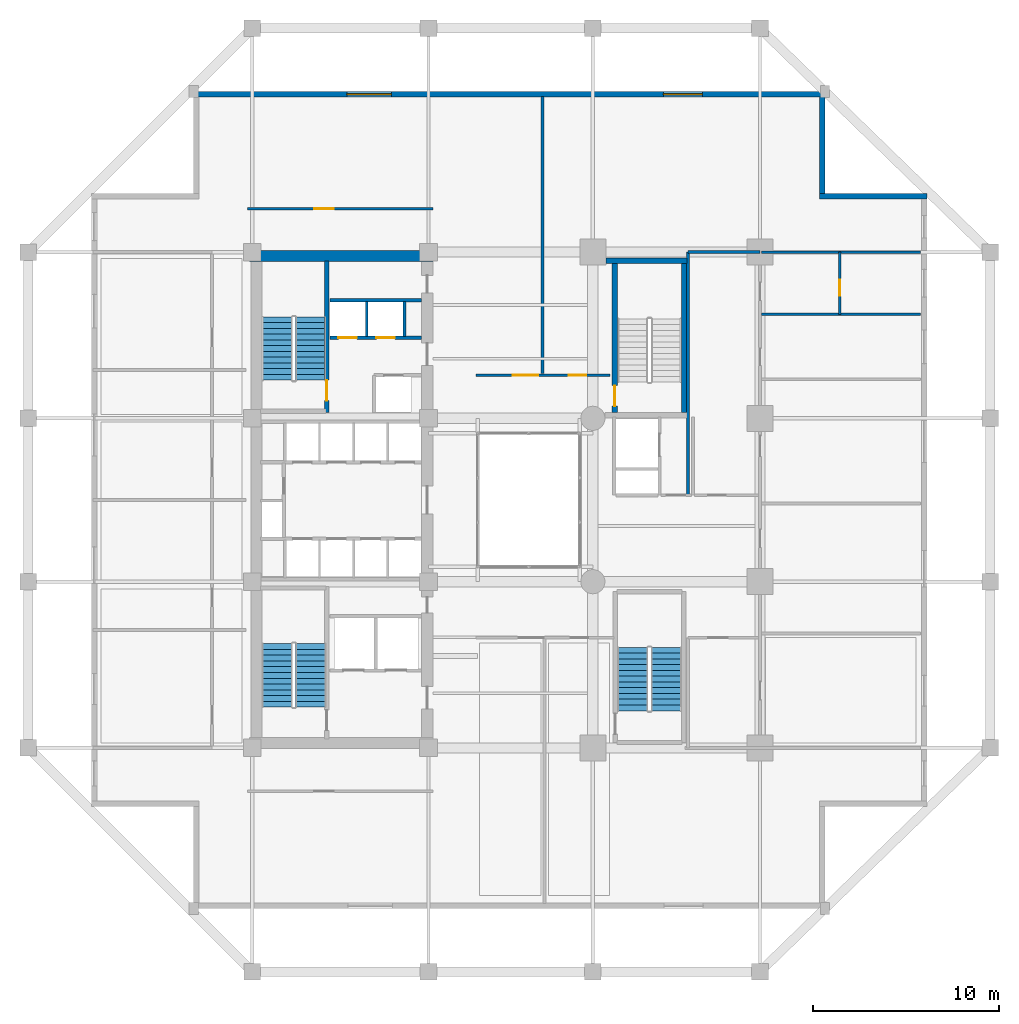
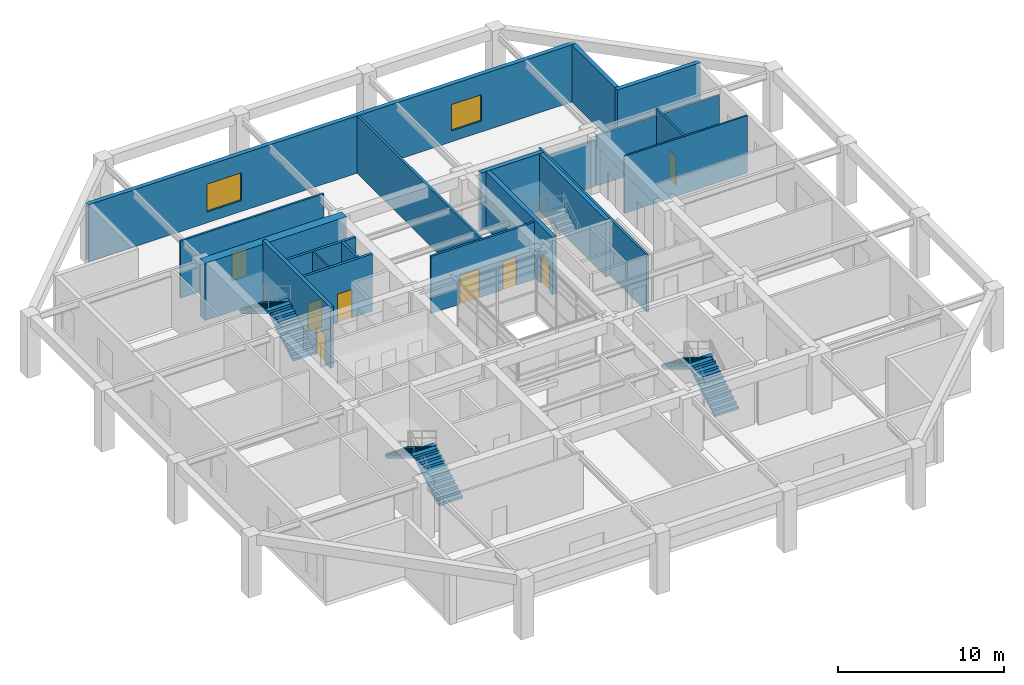
# One storey, part 9 of 13: 20 walls, 8 doors, 6 stair flights, 2 windows, 10 openings, 3 elements without a shape of their own.
"""IFC4 building model written with IfcOpenShell, lengths in metres."""

from ifc_helpers import new_model, si_unit, direction, frame, frame_2d, origin, place, context, subcontext, project, spatial, polyline, rectangle, outline, extrude, material, layer, layer_set, type_object, element, fill, aggregate, save


model = new_model("IFC4")

# Units and contexts
model_context = context("Model", 3, precision=1e-05, world=origin(), true_north=direction((0.0, 1.0)))
body_context = subcontext(model_context, "Body", "Model", "MODEL_VIEW")
ifc_project = project(units=[si_unit("LENGTHUNIT", "METRE"), si_unit("AREAUNIT", "SQUARE_METRE"), si_unit("VOLUMEUNIT", "CUBIC_METRE"), si_unit("PLANEANGLEUNIT", "RADIAN"), si_unit("MASSUNIT", "GRAM", prefix="KILO")], contexts=[model_context])

# Site, building, storey
site_placement = place(None, origin())
site = spatial("IfcSite", under=ifc_project, at=site_placement, CompositionType="ELEMENT")
building_placement = place(site_placement, origin())
building = spatial("IfcBuilding", under=site, at=building_placement, Name="Kundavana Baori Tower", CompositionType="ELEMENT")
storey_placement = place(building_placement, frame((0.0, 0.0, 17.0)))
storey = spatial("IfcBuildingStorey", under=building, at=storey_placement, Name="L03", CompositionType="ELEMENT", Elevation=17.0)

# Wall, opening, door
ifc_material_1 = material(Name="Concrete C50/60", Category="concrete")
ifc_layer_1 = layer(ifc_material_1, 0.39990234375, Name="WL-CORE-400")
ifc_layer_set_1 = layer_set([ifc_layer_1], Name="Concrete C50/60")
wall_type_1 = type_object("IfcWallType", Name="WL-CORE-400", PredefinedType="SHEAR", material=ifc_layer_set_1)
wall_1_placement = place(storey_placement, frame((19.4599609375, 33.300048828125, 0.0), z_axis=(0.0, 0.0, 1.0), x_axis=(0.0, 1.0, 0.0)))
wall_1 = element("IfcWall", 1, at=wall_1_placement, inside=storey, type_object=wall_type_1, Name="WL-L03-ST2-E", PredefinedType="SHEAR", context=body_context, shape_type="SweptSolid", body=[
    extrude(rectangle(XDim=8.179931640625, YDim=0.239990234375, at=frame_2d((4.08984375, 0.0))), origin(), (0.0, 0.0, 1.0), 4.5),
])
opening_1_placement = place(wall_1_placement, frame((0.64990234375, 0.0, 0.0)))
opening_1 = element("IfcOpeningElement", 2, at=opening_1_placement, cuts=wall_1, Name="Opening FD-110", PredefinedType="OPENING", context=body_context, shape_type="SweptSolid", body=[
    extrude(rectangle(XDim=1.10009765625, YDim=2.10009765625, at=frame_2d((0.550048828125, 1.050048828125))), frame((0.0, 0.1298828125, 0.0), z_axis=(0.0, -1.0, 0.0), x_axis=(1.0, 0.0, 0.0)), (0.0, 0.0, 1.0), 0.260009765625),
])
ifc_material_2 = material(Name="Galvanised Steel Fire-Rated Door Leaf", Category="steel")
door_type_1 = type_object("IfcDoorType", Name="DR-FD120-1100", OperationType="NOTDEFINED", PredefinedType="DOOR", material=ifc_material_2)
door_1_placement = place(opening_1_placement, origin())
door_1 = element("IfcDoor", 3, at=door_1_placement, inside=storey, type_object=door_type_1, Name="DR-L03-ST2", OperationType="SINGLE_SWING_RIGHT", OverallHeight=2.10009765625, OverallWidth=1.10009765625, PredefinedType="DOOR", context=body_context, shape_type="SweptSolid", body=[
    extrude(rectangle(XDim=1.10009765625, YDim=2.10009765625, at=frame_2d((0.550048828125, 1.050048828125))), frame((0.0, 0.02490234375, 0.0), z_axis=(0.0, -1.0, 0.0), x_axis=(1.0, 0.0, 0.0)), (0.0, 0.0, 1.0), 0.050048828125),
])
fill(opening_1, door_1)

# Walls
ifc_material_3 = material(Name="Concrete C60/75", Category="concrete")
ifc_layer_2 = layer(ifc_material_3, 0.60009765625, Name="WL-CORE-600")
ifc_layer_set_2 = layer_set([ifc_layer_2], Name="Concrete C60/75")
wall_type_2 = type_object("IfcWallType", Name="WL-CORE-600", PredefinedType="SHEAR", material=ifc_layer_set_2)
wall_2_placement = place(storey_placement, frame((15.300048828125, 41.739990234375, 0.0), z_axis=(0.0, 0.0, 1.0), x_axis=(1.0, 0.0, 0.0)))
element("IfcWall", 4, at=wall_2_placement, inside=storey, type_object=wall_type_2, Name="L03 Offset Core North Shear Wall", PredefinedType="SHEAR", context=body_context, shape_type="SweptSolid", body=[
    extrude(rectangle(XDim=9.8798828125, YDim=0.60009765625, at=frame_2d((4.93994140625, 0.0))), origin(), (0.0, 0.0, 1.0), 4.219970703125),
])
ifc_material_4 = material(Name="Red-Buff Dholpur Sandstone Cladding on Concrete C40/50", Category="masonry")
ifc_layer_3 = layer(ifc_material_4, 0.300048828125, Name="WL-EXT-SAND-300")
ifc_layer_set_3 = layer_set([ifc_layer_3], Name="Red-Buff Dholpur Sandstone Cladding on Concrete C40/50")
wall_type_3 = type_object("IfcWallType", Name="WL-EXT-SAND-300", PredefinedType="STANDARD", material=ifc_layer_set_3)
wall_3_placement = place(storey_placement, frame((51.800048828125, 44.949951171875, 0.0), z_axis=(0.0, 0.0, 1.0), x_axis=(-1.0, 0.0, 0.0)))
element("IfcWall", 5, at=wall_3_placement, inside=storey, type_object=wall_type_3, Name="L03 Exterior Insulated Facade Wall 05", PredefinedType="STANDARD", context=body_context, shape_type="SweptSolid", body=[
    extrude(rectangle(XDim=5.800048828125, YDim=0.300048828125, at=frame_2d((2.89990234375, 0.0))), origin(), (0.0, 0.0, 1.0), 4.219970703125),
])
wall_4_placement = place(storey_placement, frame((46.14990234375, 45.10009765625, 0.0), z_axis=(0.0, 0.0, 1.0), x_axis=(0.0, 1.0, 0.0)))
element("IfcWall", 6, at=wall_4_placement, inside=storey, type_object=wall_type_3, Name="L03 Exterior Insulated Facade Wall 06", PredefinedType="STANDARD", context=body_context, shape_type="SweptSolid", body=[
    extrude(rectangle(XDim=5.199951171875, YDim=0.300048828125, at=frame_2d((2.60009765625, 0.0))), origin(), (0.0, 0.0, 1.0), 4.219970703125),
])

# Wall, openings, windows
wall_5_placement = place(storey_placement, frame((46.300048828125, 50.449951171875, 0.0), z_axis=(0.0, 0.0, 1.0), x_axis=(-1.0, 0.0, 0.0)))
wall_5 = element("IfcWall", 7, at=wall_5_placement, inside=storey, type_object=wall_type_3, Name="L03 Exterior Insulated Facade Wall 07", PredefinedType="STANDARD", context=body_context, shape_type="SweptSolid", body=[
    extrude(rectangle(XDim=34.0, YDim=0.300048828125, at=frame_2d((17.0, 0.0))), origin(), (0.0, 0.0, 1.0), 4.219970703125),
])
opening_2_placement = place(wall_5_placement, frame((23.344970703125, 0.0, 0.800048828125)))
opening_2 = element("IfcOpeningElement", 8, at=opening_2_placement, cuts=wall_5, Name="Opening W-04", PredefinedType="OPENING", context=body_context, shape_type="SweptSolid", body=[
    extrude(rectangle(XDim=2.39990234375, YDim=2.050048828125, at=frame_2d((1.199951171875, 1.02490234375))), frame((0.0, 0.16015625, 0.0), z_axis=(0.0, -1.0, 0.0), x_axis=(1.0, 0.0, 0.0)), (0.0, 0.0, 1.0), 0.320068359375),
])
opening_3_placement = place(wall_5_placement, frame((6.60498046875, 0.0, 0.800048828125)))
opening_3 = element("IfcOpeningElement", 9, at=opening_3_placement, cuts=wall_5, Name="Opening W-05", PredefinedType="OPENING", context=body_context, shape_type="SweptSolid", body=[
    extrude(rectangle(XDim=2.10009765625, YDim=1.949951171875, at=frame_2d((1.050048828125, 0.97509765625))), frame((0.0, 0.16015625, 0.0), z_axis=(0.0, -1.0, 0.0), x_axis=(1.0, 0.0, 0.0)), (0.0, 0.0, 1.0), 0.320068359375),
])
ifc_material_5 = material(Name="Double-Glazed Solar-Control Low-E Insulated Glass", Category="glass")
window_type_1 = type_object("IfcWindowType", Name="WIN-LOG-2100x1950", PartitioningType="SINGLE_PANEL", PredefinedType="WINDOW", material=ifc_material_5)
window_1_placement = place(opening_3_placement, origin())
window_1 = element("IfcWindow", 10, at=window_1_placement, inside=storey, type_object=window_type_1, Name="L03 Recessed Loggia Window N-2", OverallHeight=1.949951171875, OverallWidth=2.10009765625, PartitioningType="SINGLE_PANEL", PredefinedType="WINDOW", context=body_context, shape_type="SweptSolid", body=[
    extrude(rectangle(XDim=2.10009765625, YDim=1.949951171875, at=frame_2d((1.050048828125, 0.97509765625))), frame((0.0, 0.030029296875, 0.0), z_axis=(0.0, -1.0, 0.0), x_axis=(1.0, 0.0, 0.0)), (0.0, 0.0, 1.0), 0.06005859375),
])
fill(opening_3, window_1)
ifc_material_6 = material(Name="Double-Glazed Solar-Control Low-E Insulated Glass", Category="glass")
window_type_2 = type_object("IfcWindowType", Name="WIN-LOG-2400x2050", PartitioningType="SINGLE_PANEL", PredefinedType="WINDOW", material=ifc_material_6)
window_2_placement = place(opening_2_placement, origin())
window_2 = element("IfcWindow", 11, at=window_2_placement, inside=storey, type_object=window_type_2, Name="L03 Recessed Loggia Window N-1", OverallHeight=2.050048828125, OverallWidth=2.39990234375, PartitioningType="SINGLE_PANEL", PredefinedType="WINDOW", context=body_context, shape_type="SweptSolid", body=[
    extrude(rectangle(XDim=2.39990234375, YDim=2.050048828125, at=frame_2d((1.199951171875, 1.02490234375))), frame((0.0, 0.030029296875, 0.0), z_axis=(0.0, -1.0, 0.0), x_axis=(1.0, 0.0, 0.0)), (0.0, 0.0, 1.0), 0.06005859375),
])
fill(opening_2, window_2)

# Wall
ifc_material_7 = material(Name="Acoustic Gypsum Plasterboard on Galvanised Steel Studs", Category="steel")
ifc_layer_4 = layer(ifc_material_7, 0.1201171875, Name="WL-PART-120")
ifc_layer_set_4 = layer_set([ifc_layer_4], Name="Acoustic Gypsum Plasterboard on Galvanised Steel Studs")
wall_type_4 = type_object("IfcWallType", Name="WL-PART-120", PredefinedType="PARTITIONING", material=ifc_layer_set_4)
wall_6_placement = place(storey_placement, frame((21.6201171875, 37.39990234375, 0.0), z_axis=(0.0, 0.0, 1.0), x_axis=(0.0, 1.0, 0.0)))
element("IfcWall", 12, at=wall_6_placement, inside=storey, type_object=wall_type_4, Name="WL-L03-HR-DIV1", PredefinedType="PARTITIONING", context=body_context, shape_type="SweptSolid", body=[
    extrude(rectangle(XDim=1.900146484375, YDim=0.1201171875, at=frame_2d((0.9501953125, 0.0))), origin(), (0.0, 0.0, 1.0), 4.219970703125),
])

# Wall, opening, door
ifc_material_8 = material(Name="Acoustic Gypsum Plasterboard on Galvanised Steel Studs", Category="steel")
ifc_layer_5 = layer(ifc_material_8, 0.135009765625, Name="WL-PART-135")
ifc_layer_set_5 = layer_set([ifc_layer_5], Name="Acoustic Gypsum Plasterboard on Galvanised Steel Studs")
wall_type_5 = type_object("IfcWallType", Name="WL-PART-135", PredefinedType="PARTITIONING", material=ifc_layer_set_5)
wall_7_placement = place(storey_placement, frame((15.199951171875, 44.280029296875, 0.0), z_axis=(0.0, 0.0, 1.0), x_axis=(1.0, 0.0, 0.0)))
wall_7 = element("IfcWall", 13, at=wall_7_placement, inside=storey, type_object=wall_type_5, Name="WL-L03-NC", PredefinedType="PARTITIONING", context=body_context, shape_type="SweptSolid", body=[
    extrude(rectangle(XDim=10.0, YDim=0.135009765625, at=frame_2d((5.0, 0.0))), origin(), (0.0, 0.0, 1.0), 4.219970703125),
])
opening_4_placement = place(wall_7_placement, frame((3.60009765625, 0.0, 0.0)))
opening_4 = element("IfcOpeningElement", 14, at=opening_4_placement, cuts=wall_7, Name="Opening ID-105", PredefinedType="OPENING", context=body_context, shape_type="SweptSolid", body=[
    extrude(rectangle(XDim=1.050048828125, YDim=2.10009765625, at=frame_2d((0.52490234375, 1.050048828125))), frame((0.0, 0.07763671875, 0.0), z_axis=(0.0, -1.0, 0.0), x_axis=(1.0, 0.0, 0.0)), (0.0, 0.0, 1.0), 0.155029296875),
])
ifc_material_9 = material(Name="Engineered Teak Solid-Core Timber Veneer", Category="wood")
door_type_2 = type_object("IfcDoorType", Name="DR-INT-1050", OperationType="NOTDEFINED", PredefinedType="DOOR", material=ifc_material_9)
door_2_placement = place(opening_4_placement, origin())
door_2 = element("IfcDoor", 15, at=door_2_placement, inside=storey, type_object=door_type_2, Name="DR-L03-RNW", OperationType="SINGLE_SWING_RIGHT", OverallHeight=2.10009765625, OverallWidth=1.050048828125, PredefinedType="DOOR", context=body_context, shape_type="SweptSolid", body=[
    extrude(rectangle(XDim=1.050048828125, YDim=2.10009765625, at=frame_2d((0.52490234375, 1.050048828125))), frame((0.0, 0.02490234375, 0.0), z_axis=(0.0, -1.0, 0.0), x_axis=(1.0, 0.0, 0.0)), (0.0, 0.0, 1.0), 0.050048828125),
])
fill(opening_4, door_2)

# Wall, openings, doors
ifc_material_10 = material(Name="Fire-Rated Gypsum Drywall on Galvanised Steel Studs", Category="steel")
ifc_layer_6 = layer(ifc_material_10, 0.14990234375, Name="WL-PART-150")
ifc_layer_set_6 = layer_set([ifc_layer_6], Name="Fire-Rated Gypsum Drywall on Galvanised Steel Studs")
wall_type_6 = type_object("IfcWallType", Name="WL-PART-150", PredefinedType="PARTITIONING", material=ifc_layer_set_6)
wall_8_placement = place(storey_placement, frame((27.5, 35.320068359375, 0.0), z_axis=(0.0, 0.0, 1.0), x_axis=(1.0, 0.0, 0.0)))
wall_8 = element("IfcWall", 16, at=wall_8_placement, inside=storey, type_object=wall_type_6, Name="WL-L03-PODN", PredefinedType="PARTITIONING", context=body_context, shape_type="SweptSolid", body=[
    extrude(rectangle(XDim=7.219970703125, YDim=0.14990234375, at=frame_2d((3.60986328125, 0.0))), origin(), (0.0, 0.0, 1.0), 4.219970703125),
])
opening_5_placement = place(wall_8_placement, frame((5.0, 0.0, 0.0)))
opening_5 = element("IfcOpeningElement", 17, at=opening_5_placement, cuts=wall_8, Name="Opening ID-095", PredefinedType="OPENING", context=body_context, shape_type="SweptSolid", body=[
    extrude(rectangle(XDim=0.949951171875, YDim=2.080078125, at=frame_2d((0.47509765625, 1.0400390625))), frame((0.0, 0.0849609375, 0.0), z_axis=(0.0, -1.0, 0.0), x_axis=(1.0, 0.0, 0.0)), (0.0, 0.0, 1.0), 0.169921875),
])
opening_6_placement = place(wall_8_placement, frame((2.0, 0.0, 0.0)))
opening_6 = element("IfcOpeningElement", 18, at=opening_6_placement, cuts=wall_8, Name="Opening ID-135", PredefinedType="OPENING", context=body_context, shape_type="SweptSolid", body=[
    extrude(rectangle(XDim=1.35009765625, YDim=2.10009765625, at=frame_2d((0.675048828125, 1.050048828125))), frame((0.0, 0.0849609375, 0.0), z_axis=(0.0, -1.0, 0.0), x_axis=(1.0, 0.0, 0.0)), (0.0, 0.0, 1.0), 0.169921875),
])
ifc_material_11 = material(Name="Engineered Teak Solid-Core Timber Veneer", Category="wood")
door_type_3 = type_object("IfcDoorType", Name="DR-INT-1350", OperationType="NOTDEFINED", PredefinedType="DOOR", material=ifc_material_11)
door_3_placement = place(opening_6_placement, origin())
door_3 = element("IfcDoor", 19, at=door_3_placement, inside=storey, type_object=door_type_3, Name="DR-L03-CONFN", OperationType="SINGLE_SWING_LEFT", OverallHeight=2.10009765625, OverallWidth=1.35009765625, PredefinedType="DOOR", context=body_context, shape_type="SweptSolid", body=[
    extrude(rectangle(XDim=1.35009765625, YDim=2.10009765625, at=frame_2d((0.675048828125, 1.050048828125))), frame((0.0, 0.02490234375, 0.0), z_axis=(0.0, -1.0, 0.0), x_axis=(1.0, 0.0, 0.0)), (0.0, 0.0, 1.0), 0.050048828125),
])
fill(opening_6, door_3)
ifc_material_12 = material(Name="Engineered Teak Solid-Core Timber Veneer", Category="wood")
door_type_4 = type_object("IfcDoorType", Name="DR-INT-950", OperationType="NOTDEFINED", PredefinedType="DOOR", material=ifc_material_12)
door_4_placement = place(opening_5_placement, origin())
door_4 = element("IfcDoor", 20, at=door_4_placement, inside=storey, type_object=door_type_4, Name="DR-L03-CFN2", OperationType="SINGLE_SWING_RIGHT", OverallHeight=2.080078125, OverallWidth=0.949951171875, PredefinedType="DOOR", context=body_context, shape_type="SweptSolid", body=[
    extrude(rectangle(XDim=0.949951171875, YDim=2.080078125, at=frame_2d((0.47509765625, 1.0400390625))), frame((0.0, 0.02490234375, 0.0), z_axis=(0.0, -1.0, 0.0), x_axis=(1.0, 0.0, 0.0)), (0.0, 0.0, 1.0), 0.050048828125),
])
fill(opening_5, door_4)

# Walls
wall_9_placement = place(storey_placement, frame((38.919921875, 28.860107421875, 0.0), z_axis=(0.0, 0.0, 1.0), x_axis=(0.0, 1.0, 0.0)))
element("IfcWall", 21, at=wall_9_placement, inside=storey, type_object=wall_type_6, Name="WL-L03-PEATW", PredefinedType="PARTITIONING", context=body_context, shape_type="SweptSolid", body=[
    extrude(rectangle(XDim=13.08984375, YDim=0.14990234375, at=frame_2d((6.544921875, 0.0))), origin(), (0.0, 0.0, 1.0), 4.219970703125),
])
wall_10_placement = place(storey_placement, frame((38.919921875, 41.949951171875, 0.0), z_axis=(0.0, 0.0, 1.0), x_axis=(1.0, 0.0, 0.0)))
element("IfcWall", 22, at=wall_10_placement, inside=storey, type_object=wall_type_6, Name="WL-L03-PEATN", PredefinedType="PARTITIONING", context=body_context, shape_type="SweptSolid", body=[
    extrude(rectangle(XDim=3.880126953125, YDim=0.14990234375, at=frame_2d((1.93994140625, 0.0))), origin(), (0.0, 0.0, 1.0), 3.419921875),
])
ifc_material_13 = material(Name="Fire-Rated Gypsum Drywall on Galvanised Steel Studs", Category="steel")
ifc_layer_7 = layer(ifc_material_13, 0.1650390625, Name="WL-PART-165")
ifc_layer_set_7 = layer_set([ifc_layer_7], Name="Fire-Rated Gypsum Drywall on Galvanised Steel Studs")
wall_type_7 = type_object("IfcWallType", Name="WL-PART-165", PredefinedType="PARTITIONING", material=ifc_layer_set_7)
wall_11_placement = place(storey_placement, frame((31.10009765625, 35.39990234375, 0.0), z_axis=(0.0, 0.0, 1.0), x_axis=(0.0, 1.0, 0.0)))
element("IfcWall", 23, at=wall_11_placement, inside=storey, type_object=wall_type_7, Name="WL-L03-CN1", PredefinedType="PARTITIONING", context=body_context, shape_type="SweptSolid", body=[
    extrude(rectangle(XDim=14.920166015625, YDim=0.1650390625, at=frame_2d((7.4599609375, 0.0))), origin(), (0.0, 0.0, 1.0), 4.219970703125),
])

# Wall, openings, doors
ifc_material_14 = material(Name="Autoclaved Aerated Concrete Blockwork Masonry", Category="masonry")
ifc_layer_8 = layer(ifc_material_14, 0.179931640625, Name="WL-SHAFT-180")
ifc_layer_set_8 = layer_set([ifc_layer_8], Name="Autoclaved Aerated Concrete Blockwork Masonry")
wall_type_8 = type_object("IfcWallType", Name="WL-SHAFT-180", PredefinedType="SOLIDWALL", material=ifc_layer_set_8)
wall_12_placement = place(storey_placement, frame((19.639892578125, 37.340087890625, 0.0), z_axis=(0.0, 0.0, 1.0), x_axis=(1.0, 0.0, 0.0)))
wall_12 = element("IfcWall", 24, at=wall_12_placement, inside=storey, type_object=wall_type_8, Name="WL-L03-HRLOB-N", PredefinedType="SOLIDWALL", context=body_context, shape_type="SweptSolid", body=[
    extrude(rectangle(XDim=4.940185546875, YDim=0.179931640625, at=frame_2d((2.47021484375, 0.0))), origin(), (0.0, 0.0, 1.0), 4.219970703125),
])
opening_7_placement = place(wall_12_placement, frame((0.449951171875, 0.0, 0.0)))
opening_7 = element("IfcOpeningElement", 25, at=opening_7_placement, cuts=wall_12, Name="Opening LD-100", PredefinedType="OPENING", context=body_context, shape_type="SweptSolid", body=[
    extrude(rectangle(XDim=1.0, YDim=2.10009765625, at=frame_2d((0.5, 1.050048828125))), frame((0.0, 0.10009765625, 0.0), z_axis=(0.0, -1.0, 0.0), x_axis=(1.0, 0.0, 0.0)), (0.0, 0.0, 1.0), 0.199951171875),
])
opening_8_placement = place(wall_12_placement, frame((2.5, 0.0, 0.0)))
opening_8 = element("IfcOpeningElement", 26, at=opening_8_placement, cuts=wall_12, Name="Opening LD-100", PredefinedType="OPENING", context=body_context, shape_type="SweptSolid", body=[
    extrude(rectangle(XDim=1.0, YDim=2.10009765625, at=frame_2d((0.5, 1.050048828125))), frame((0.0, 0.10009765625, 0.0), z_axis=(0.0, -1.0, 0.0), x_axis=(1.0, 0.0, 0.0)), (0.0, 0.0, 1.0), 0.199951171875),
])
ifc_material_15 = material(Name="Galvanised Steel Fire-Rated Door Leaf", Category="steel")
door_type_5 = type_object("IfcDoorType", Name="DR-SLIDE-LD1000", OperationType="NOTDEFINED", PredefinedType="DOOR", material=ifc_material_15)
door_5_placement = place(opening_7_placement, frame((1.0, 0.0, 0.0), z_axis=(0.0, 0.0, 1.0), x_axis=(-1.0, 0.0, 0.0)))
door_5 = element("IfcDoor", 27, at=door_5_placement, inside=storey, type_object=door_type_5, Name="DR-L03-LD-LP09", OperationType="DOUBLE_DOOR_SLIDING", OverallHeight=2.10009765625, OverallWidth=1.0, PredefinedType="DOOR", context=body_context, shape_type="SweptSolid", body=[
    extrude(rectangle(XDim=1.0, YDim=2.10009765625, at=frame_2d((0.5, 1.050048828125))), frame((0.0, 0.02490234375, 0.0), z_axis=(0.0, -1.0, 0.0), x_axis=(1.0, 0.0, 0.0)), (0.0, 0.0, 1.0), 0.050048828125),
])
fill(opening_7, door_5)
door_6_placement = place(opening_8_placement, frame((1.0, 0.0, 0.0), z_axis=(0.0, 0.0, 1.0), x_axis=(-1.0, 0.0, 0.0)))
door_6 = element("IfcDoor", 28, at=door_6_placement, inside=storey, type_object=door_type_5, Name="DR-L03-LD-LP10", OperationType="DOUBLE_DOOR_SLIDING", OverallHeight=2.10009765625, OverallWidth=1.0, PredefinedType="DOOR", context=body_context, shape_type="SweptSolid", body=[
    extrude(rectangle(XDim=1.0, YDim=2.10009765625, at=frame_2d((0.5, 1.050048828125))), frame((0.0, 0.02490234375, 0.0), z_axis=(0.0, -1.0, 0.0), x_axis=(1.0, 0.0, 0.0)), (0.0, 0.0, 1.0), 0.050048828125),
])
fill(opening_8, door_6)

# Walls
wall_13_placement = place(storey_placement, frame((19.639892578125, 39.360107421875, 0.0), z_axis=(0.0, 0.0, 1.0), x_axis=(1.0, 0.0, 0.0)))
element("IfcWall", 29, at=wall_13_placement, inside=storey, type_object=wall_type_8, Name="WL-L03-HRLOB-TOP", PredefinedType="SOLIDWALL", context=body_context, shape_type="SweptSolid", body=[
    extrude(rectangle(XDim=4.940185546875, YDim=0.179931640625, at=frame_2d((2.47021484375, 0.0))), origin(), (0.0, 0.0, 1.0), 4.219970703125),
])
wall_14_placement = place(storey_placement, frame((23.659912109375, 37.39990234375, 0.0), z_axis=(0.0, 0.0, 1.0), x_axis=(0.0, 1.0, 0.0)))
element("IfcWall", 30, at=wall_14_placement, inside=storey, type_object=wall_type_8, Name="WL-L03-HR-DIV2", PredefinedType="SOLIDWALL", context=body_context, shape_type="SweptSolid", body=[
    extrude(rectangle(XDim=1.900146484375, YDim=0.179931640625, at=frame_2d((0.9501953125, 0.0))), origin(), (0.0, 0.0, 1.0), 4.219970703125),
])
ifc_material_16 = material(Name="Concrete C50/60", Category="concrete")
ifc_layer_9 = layer(ifc_material_16, 0.300048828125, Name="WL-ST3-300")
ifc_layer_set_9 = layer_set([ifc_layer_9], Name="Concrete C50/60")
wall_type_9 = type_object("IfcWallType", Name="WL-ST3-300", PredefinedType="SHEAR", material=ifc_layer_set_9)
wall_15_placement = place(storey_placement, frame((34.5, 41.489990234375, 0.0), z_axis=(0.0, 0.0, 1.0), x_axis=(1.0, 0.0, 0.0)))
element("IfcWall", 31, at=wall_15_placement, inside=storey, type_object=wall_type_9, Name="L03 Stair ST3 North Shear Wall", PredefinedType="SHEAR", context=body_context, shape_type="SweptSolid", body=[
    extrude(rectangle(XDim=4.3701171875, YDim=0.300048828125, at=frame_2d((2.18505859375, 0.0))), origin(), (0.0, 0.0, 1.0), 4.219970703125),
])

# Wall, opening, door
wall_16_placement = place(storey_placement, frame((34.97998046875, 33.31005859375, 0.0), z_axis=(0.0, 0.0, 1.0), x_axis=(0.0, 1.0, 0.0)))
wall_16 = element("IfcWall", 32, at=wall_16_placement, inside=storey, type_object=wall_type_9, Name="L03 Stair ST3 West Shear Wall", PredefinedType="SHEAR", context=body_context, shape_type="SweptSolid", body=[
    extrude(rectangle(XDim=8.030029296875, YDim=0.300048828125, at=frame_2d((4.01513671875, 0.0))), origin(), (0.0, 0.0, 1.0), 4.219970703125),
])
opening_9_placement = place(wall_16_placement, frame((0.35009765625, 0.0, 0.0)))
opening_9 = element("IfcOpeningElement", 33, at=opening_9_placement, cuts=wall_16, Name="Opening FD-110", PredefinedType="OPENING", context=body_context, shape_type="SweptSolid", body=[
    extrude(rectangle(XDim=1.10009765625, YDim=2.10009765625, at=frame_2d((0.550048828125, 1.050048828125))), frame((0.0, 0.16015625, 0.0), z_axis=(0.0, -1.0, 0.0), x_axis=(1.0, 0.0, 0.0)), (0.0, 0.0, 1.0), 0.320068359375),
])
door_7_placement = place(opening_9_placement, origin())
door_7 = element("IfcDoor", 34, at=door_7_placement, inside=storey, type_object=door_type_1, Name="DR-L03-ST3-W", OperationType="SINGLE_SWING_LEFT", OverallHeight=2.10009765625, OverallWidth=1.10009765625, PredefinedType="DOOR", context=body_context, shape_type="SweptSolid", body=[
    extrude(rectangle(XDim=1.10009765625, YDim=2.10009765625, at=frame_2d((0.550048828125, 1.050048828125))), frame((0.0, 0.02490234375, 0.0), z_axis=(0.0, -1.0, 0.0), x_axis=(1.0, 0.0, 0.0)), (0.0, 0.0, 1.0), 0.050048828125),
])
fill(opening_9, door_7)

# Walls
wall_17_placement = place(storey_placement, frame((38.719970703125, 33.31005859375, 0.0), z_axis=(0.0, 0.0, 1.0), x_axis=(0.0, 1.0, 0.0)))
element("IfcWall", 35, at=wall_17_placement, inside=storey, type_object=wall_type_9, Name="L03 Stair ST3 East Shear Wall", PredefinedType="SHEAR", context=body_context, shape_type="SweptSolid", body=[
    extrude(rectangle(XDim=8.030029296875, YDim=0.300048828125, at=frame_2d((4.01513671875, 0.0))), origin(), (0.0, 0.0, 1.0), 4.219970703125),
])
ifc_material_17 = material(Name="Autoclaved Aerated Concrete Blockwork Masonry", Category="masonry")
ifc_layer_10 = layer(ifc_material_17, 0.125, Name="WL-WET-120")
ifc_layer_set_10 = layer_set([ifc_layer_10], Name="Autoclaved Aerated Concrete Blockwork Masonry")
wall_type_10 = type_object("IfcWallType", Name="WL-WET-120", PredefinedType="PLUMBINGWALL", material=ifc_layer_set_10)
wall_18_placement = place(storey_placement, frame((42.8798828125, 41.949951171875, 0.0), z_axis=(0.0, 0.0, 1.0), x_axis=(1.0, 0.0, 0.0)))
element("IfcWall", 36, at=wall_18_placement, inside=storey, type_object=wall_type_10, Name="WL-L03-PODE-N", PredefinedType="PLUMBINGWALL", context=body_context, shape_type="SweptSolid", body=[
    extrude(rectangle(XDim=8.570068359375, YDim=0.125, at=frame_2d((4.28515625, 0.0))), origin(), (0.0, 0.0, 1.0), 3.719970703125),
])
wall_19_placement = place(storey_placement, frame((42.8798828125, 38.60009765625, 0.0), z_axis=(0.0, 0.0, 1.0), x_axis=(1.0, 0.0, 0.0)))
element("IfcWall", 37, at=wall_19_placement, inside=storey, type_object=wall_type_10, Name="WL-L03-CD4", PredefinedType="PLUMBINGWALL", context=body_context, shape_type="SweptSolid", body=[
    extrude(rectangle(XDim=8.570068359375, YDim=0.125, at=frame_2d((4.28515625, 0.0))), origin(), (0.0, 0.0, 1.0), 4.219970703125),
])

# Wall, opening, door
wall_20_placement = place(storey_placement, frame((47.10009765625, 38.60009765625, 0.0), z_axis=(0.0, 0.0, 1.0), x_axis=(0.0, 1.0, 0.0)))
wall_20 = element("IfcWall", 38, at=wall_20_placement, inside=storey, type_object=wall_type_10, Name="WL-L03-WCAD", PredefinedType="PLUMBINGWALL", context=body_context, shape_type="SweptSolid", body=[
    extrude(rectangle(XDim=3.349853515625, YDim=0.125, at=frame_2d((1.6748046875, 0.0))), origin(), (0.0, 0.0, 1.0), 4.219970703125),
])
opening_10_placement = place(wall_20_placement, frame((1.0, 0.0, 0.0)))
opening_10 = element("IfcOpeningElement", 39, at=opening_10_placement, cuts=wall_20, Name="Opening WD-085", PredefinedType="OPENING", context=body_context, shape_type="SweptSolid", body=[
    extrude(rectangle(XDim=0.85009765625, YDim=2.050048828125, at=frame_2d((0.425048828125, 1.02490234375))), frame((0.0, 0.072509765625, 0.0), z_axis=(0.0, -1.0, 0.0), x_axis=(1.0, 0.0, 0.0)), (0.0, 0.0, 1.0), 0.14501953125),
])
ifc_material_18 = material(Name="Engineered Teak Solid-Core Timber Veneer", Category="wood")
door_type_6 = type_object("IfcDoorType", Name="DR-WET-850", OperationType="NOTDEFINED", PredefinedType="DOOR", material=ifc_material_18)
door_8_placement = place(opening_10_placement, origin())
door_8 = element("IfcDoor", 40, at=door_8_placement, inside=storey, type_object=door_type_6, Name="DR-L03-WCPR", OperationType="SINGLE_SWING_LEFT", OverallHeight=2.050048828125, OverallWidth=0.85009765625, PredefinedType="DOOR", context=body_context, shape_type="SweptSolid", body=[
    extrude(rectangle(XDim=0.85009765625, YDim=2.050048828125, at=frame_2d((0.425048828125, 1.02490234375))), frame((0.0, 0.02490234375, 0.0), z_axis=(0.0, -1.0, 0.0), x_axis=(1.0, 0.0, 0.0)), (0.0, 0.0, 1.0), 0.050048828125),
])
fill(opening_10, door_8)

# Stair, stair flights
ifc_material_19 = material(Name="Concrete C40/50", Category="concrete")
stair_type = type_object("IfcStairType", Name="STR-DOG-1650", PredefinedType="HALF_TURN_STAIR", material=ifc_material_19)
stair_1_placement = place(storey_placement, origin())
stair_1 = element("IfcStair", 41, at=stair_1_placement, inside=storey, type_object=stair_type, Name="L03 Protected Exit Stair ST1", PredefinedType="HALF_TURN_STAIR")
ifc_material_20 = material(Name="Concrete C40/50", Category="concrete")
stair_flight_type = type_object("IfcStairFlightType", Name="SFL-RC-1650", PredefinedType="STRAIGHT", material=ifc_material_20)
stair_flight_1_placement = place(storey_placement, frame((18.614990234375, 17.449951171875, 0.0), z_axis=(0.0, 0.0, 1.0), x_axis=(0.0, 1.0, 0.0)))
stair_flight_1 = element("IfcStairFlight", 42, at=stair_flight_1_placement, type_object=stair_flight_type, Name="ST1 flight 1", NumberOfRisers=12, NumberOfTreads=11, PredefinedType="STRAIGHT", RiserHeight=0.1875, TreadLength=0.31, context=body_context, shape_type="SweptSolid", body=[
    extrude(outline(polyline([(0.0, 0.0), (0.0, 0.1875), (0.31005859375, 0.1875), (0.31005859375, 0.375), (0.6201171875, 0.375), (0.6201171875, 0.5625), (0.929931640625, 0.5625), (0.929931640625, 0.75), (1.239990234375, 0.75), (1.239990234375, 0.9375), (1.550048828125, 0.9375), (1.550048828125, 1.125), (1.860107421875, 1.125), (1.860107421875, 1.3125), (2.169921875, 1.3125), (2.169921875, 1.5), (2.47998046875, 1.5), (2.47998046875, 1.6875), (2.7900390625, 1.6875), (2.7900390625, 1.875), (3.10009765625, 1.875), (3.10009765625, 2.0625), (3.409912109375, 2.0625), (3.409912109375, 2.25), (3.409912109375, 1.88720703125), (0.28955078125, 0.0), (0.0, 0.0)])), frame((0.0, 0.824951171875, 0.0), z_axis=(0.0, -1.0, 0.0), x_axis=(1.0, 0.0, 0.0)), (0.0, 0.0, 1.0), 1.64990234375),
])
stair_flight_2_placement = place(storey_placement, frame((16.804931640625, 20.860107421875, 2.25), z_axis=(0.0, 0.0, 1.0), x_axis=(0.0, -1.0, 0.0)))
stair_flight_2 = element("IfcStairFlight", 43, at=stair_flight_2_placement, type_object=stair_flight_type, Name="ST1 flight 2", NumberOfRisers=12, NumberOfTreads=11, PredefinedType="STRAIGHT", RiserHeight=0.1875, TreadLength=0.31, context=body_context, shape_type="SweptSolid", body=[
    extrude(outline(polyline([(0.0, 0.0), (0.0, 0.1875), (0.31005859375, 0.1875), (0.31005859375, 0.375), (0.6201171875, 0.375), (0.6201171875, 0.5625), (0.929931640625, 0.5625), (0.929931640625, 0.75), (1.239990234375, 0.75), (1.239990234375, 0.9375), (1.550048828125, 0.9375), (1.550048828125, 1.125), (1.860107421875, 1.125), (1.860107421875, 1.3125), (2.169921875, 1.3125), (2.169921875, 1.5), (2.47998046875, 1.5), (2.47998046875, 1.6875), (2.7900390625, 1.6875), (2.7900390625, 1.875), (3.10009765625, 1.875), (3.10009765625, 2.0625), (3.409912109375, 2.0625), (3.409912109375, 2.25), (3.409912109375, 1.88720703125), (0.28955078125, 0.0), (0.0, 0.0)])), frame((0.0, 0.824951171875, 0.0), z_axis=(0.0, -1.0, 0.0), x_axis=(1.0, 0.0, 0.0)), (0.0, 0.0, 1.0), 1.64990234375),
])
aggregate(stair_1, [stair_flight_1, stair_flight_2])

stair_2_placement = place(storey_placement, origin())
stair_2 = element("IfcStair", 44, at=stair_2_placement, inside=storey, type_object=stair_type, Name="L03 Protected Exit Stair ST2", PredefinedType="HALF_TURN_STAIR")
stair_flight_3_placement = place(storey_placement, frame((18.614990234375, 35.050048828125, 0.0), z_axis=(0.0, 0.0, 1.0), x_axis=(0.0, 1.0, 0.0)))
stair_flight_3 = element("IfcStairFlight", 45, at=stair_flight_3_placement, type_object=stair_flight_type, Name="ST2 flight 1", NumberOfRisers=12, NumberOfTreads=11, PredefinedType="STRAIGHT", RiserHeight=0.1875, TreadLength=0.31, context=body_context, shape_type="SweptSolid", body=[
    extrude(outline(polyline([(0.0, 0.0), (0.0, 0.1875), (0.31005859375, 0.1875), (0.31005859375, 0.375), (0.6201171875, 0.375), (0.6201171875, 0.5625), (0.929931640625, 0.5625), (0.929931640625, 0.75), (1.239990234375, 0.75), (1.239990234375, 0.9375), (1.550048828125, 0.9375), (1.550048828125, 1.125), (1.860107421875, 1.125), (1.860107421875, 1.3125), (2.169921875, 1.3125), (2.169921875, 1.5), (2.47998046875, 1.5), (2.47998046875, 1.6875), (2.7900390625, 1.6875), (2.7900390625, 1.875), (3.10009765625, 1.875), (3.10009765625, 2.0625), (3.409912109375, 2.0625), (3.409912109375, 2.25), (3.409912109375, 1.88720703125), (0.28955078125, 0.0), (0.0, 0.0)])), frame((0.0, 0.824951171875, 0.0), z_axis=(0.0, -1.0, 0.0), x_axis=(1.0, 0.0, 0.0)), (0.0, 0.0, 1.0), 1.64990234375),
])
stair_flight_4_placement = place(storey_placement, frame((16.804931640625, 38.4599609375, 2.25), z_axis=(0.0, 0.0, 1.0), x_axis=(0.0, -1.0, 0.0)))
stair_flight_4 = element("IfcStairFlight", 46, at=stair_flight_4_placement, type_object=stair_flight_type, Name="ST2 flight 2", NumberOfRisers=12, NumberOfTreads=11, PredefinedType="STRAIGHT", RiserHeight=0.1875, TreadLength=0.31, context=body_context, shape_type="SweptSolid", body=[
    extrude(outline(polyline([(0.0, 0.0), (0.0, 0.1875), (0.31005859375, 0.1875), (0.31005859375, 0.375), (0.6201171875, 0.375), (0.6201171875, 0.5625), (0.929931640625, 0.5625), (0.929931640625, 0.75), (1.239990234375, 0.75), (1.239990234375, 0.9375), (1.550048828125, 0.9375), (1.550048828125, 1.125), (1.860107421875, 1.125), (1.860107421875, 1.3125), (2.169921875, 1.3125), (2.169921875, 1.5), (2.47998046875, 1.5), (2.47998046875, 1.6875), (2.7900390625, 1.6875), (2.7900390625, 1.875), (3.10009765625, 1.875), (3.10009765625, 2.0625), (3.409912109375, 2.0625), (3.409912109375, 2.25), (3.409912109375, 1.88720703125), (0.28955078125, 0.0), (0.0, 0.0)])), frame((0.0, 0.824951171875, 0.0), z_axis=(0.0, -1.0, 0.0), x_axis=(1.0, 0.0, 0.0)), (0.0, 0.0, 1.0), 1.64990234375),
])
aggregate(stair_2, [stair_flight_3, stair_flight_4])

stair_3_placement = place(storey_placement, origin())
stair_3 = element("IfcStair", 47, at=stair_3_placement, inside=storey, type_object=stair_type, Name="L03 Podium Atrium Stair ST4", PredefinedType="HALF_TURN_STAIR")
stair_flight_5_placement = place(storey_placement, frame((37.7548828125, 17.25, 0.0), z_axis=(0.0, 0.0, 1.0), x_axis=(0.0, 1.0, 0.0)))
stair_flight_5 = element("IfcStairFlight", 48, at=stair_flight_5_placement, type_object=stair_flight_type, Name="ST4 flight 1", NumberOfRisers=12, NumberOfTreads=11, PredefinedType="STRAIGHT", RiserHeight=0.1875, TreadLength=0.31, context=body_context, shape_type="SweptSolid", body=[
    extrude(outline(polyline([(0.0, 0.0), (0.0, 0.1875), (0.31005859375, 0.1875), (0.31005859375, 0.375), (0.6201171875, 0.375), (0.6201171875, 0.5625), (0.929931640625, 0.5625), (0.929931640625, 0.75), (1.239990234375, 0.75), (1.239990234375, 0.9375), (1.550048828125, 0.9375), (1.550048828125, 1.125), (1.860107421875, 1.125), (1.860107421875, 1.3125), (2.169921875, 1.3125), (2.169921875, 1.5), (2.47998046875, 1.5), (2.47998046875, 1.6875), (2.7900390625, 1.6875), (2.7900390625, 1.875), (3.10009765625, 1.875), (3.10009765625, 2.0625), (3.409912109375, 2.0625), (3.409912109375, 2.25), (3.409912109375, 1.88720703125), (0.28955078125, 0.0), (0.0, 0.0)])), frame((0.0, 0.824951171875, 0.0), z_axis=(0.0, -1.0, 0.0), x_axis=(1.0, 0.0, 0.0)), (0.0, 0.0, 1.0), 1.64990234375),
])
stair_flight_6_placement = place(storey_placement, frame((35.945068359375, 20.659912109375, 2.25), z_axis=(0.0, 0.0, 1.0), x_axis=(0.0, -1.0, 0.0)))
stair_flight_6 = element("IfcStairFlight", 49, at=stair_flight_6_placement, type_object=stair_flight_type, Name="ST4 flight 2", NumberOfRisers=12, NumberOfTreads=11, PredefinedType="STRAIGHT", RiserHeight=0.1875, TreadLength=0.31, context=body_context, shape_type="SweptSolid", body=[
    extrude(outline(polyline([(0.0, 0.0), (0.0, 0.1875), (0.31005859375, 0.1875), (0.31005859375, 0.375), (0.6201171875, 0.375), (0.6201171875, 0.5625), (0.929931640625, 0.5625), (0.929931640625, 0.75), (1.239990234375, 0.75), (1.239990234375, 0.9375), (1.550048828125, 0.9375), (1.550048828125, 1.125), (1.860107421875, 1.125), (1.860107421875, 1.3125), (2.169921875, 1.3125), (2.169921875, 1.5), (2.47998046875, 1.5), (2.47998046875, 1.6875), (2.7900390625, 1.6875), (2.7900390625, 1.875), (3.10009765625, 1.875), (3.10009765625, 2.0625), (3.409912109375, 2.0625), (3.409912109375, 2.25), (3.409912109375, 1.88720703125), (0.28955078125, 0.0), (0.0, 0.0)])), frame((0.0, 0.824951171875, 0.0), z_axis=(0.0, -1.0, 0.0), x_axis=(1.0, 0.0, 0.0)), (0.0, 0.0, 1.0), 1.64990234375),
])
aggregate(stair_3, [stair_flight_5, stair_flight_6])

save(model, "model.ifc")
